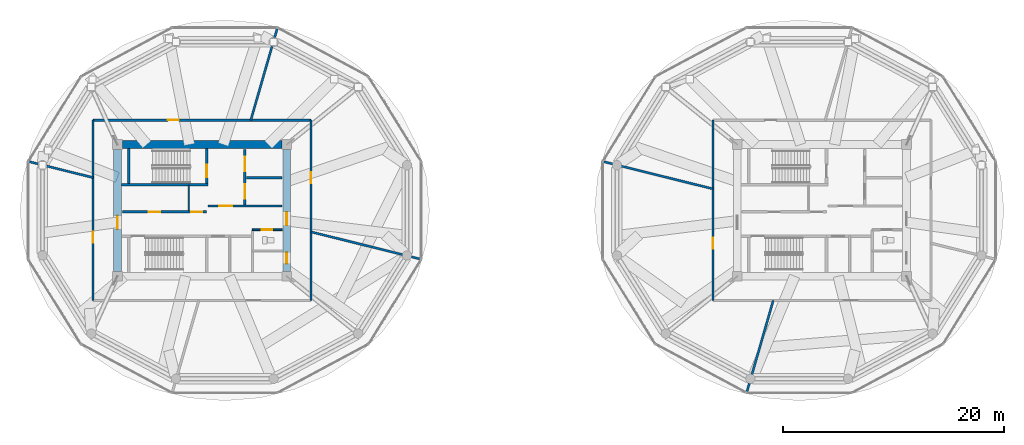
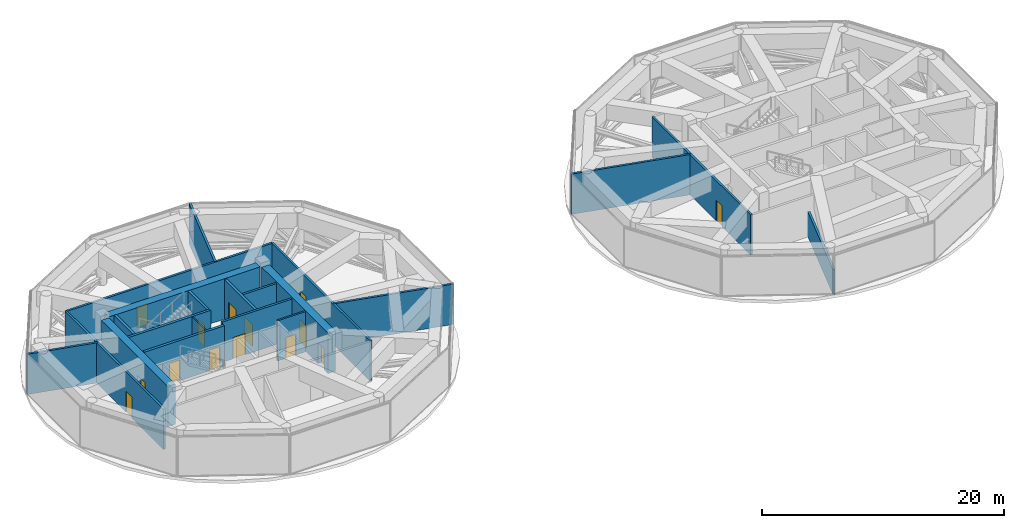
# One storey, part 17 of 23: 21 walls, 14 doors, 14 openings.
"""IFC4 building model written with IfcOpenShell, lengths in metres."""

from ifc_helpers import new_model, si_unit, direction, frame, frame_2d, origin, place, context, subcontext, project, spatial, rectangle, extrude, source, transform, mapped, material, layer, layer_set, type_object, type_shapes, element, fill, save


model = new_model("IFC4")

# Units and contexts
model_context = context("Model", 3, precision=1e-05, world=origin(), true_north=direction((0.0, 1.0)))
body_context = subcontext(model_context, "Body", "Model", "MODEL_VIEW")
ifc_project = project(units=[si_unit("LENGTHUNIT", "METRE"), si_unit("AREAUNIT", "SQUARE_METRE"), si_unit("VOLUMEUNIT", "CUBIC_METRE"), si_unit("PLANEANGLEUNIT", "RADIAN"), si_unit("MASSUNIT", "GRAM", prefix="KILO")], contexts=[model_context])

# Site, building, storey
site_placement = place(None, origin())
site = spatial("IfcSite", under=ifc_project, at=site_placement, CompositionType="ELEMENT")
building_placement = place(site_placement, origin())
building = spatial("IfcBuilding", under=site, at=building_placement, Name="Norrkilde Senior Care Towers", CompositionType="ELEMENT")
storey_placement = place(building_placement, frame((0.0, 0.0, 129.800048828125)))
storey = spatial("IfcBuildingStorey", under=building, at=storey_placement, Name="L40", CompositionType="ELEMENT", Elevation=129.800048828125)

# Wall
ifc_material_1 = material(Name="Concrete C60/75", Category="concrete")
ifc_layer_1 = layer(ifc_material_1, 0.719970703125)
ifc_layer_set_1 = layer_set([ifc_layer_1], Name="Concrete C60/75")
wall_type_1 = type_object("IfcWallType", Name="Core Shear Wall Z2 720", PredefinedType="SHEAR", material=ifc_layer_set_1)
shared_shape_1 = source(origin(), body_context, "Body", "SweptSolid", [
    extrude(rectangle(XDim=14.39990234375, YDim=0.719970703125, at=frame_2d((7.199951171875, 0.0))), origin(), (0.0, 0.0, 1.0), 4.079833984375),
])
wall_1_placement = place(storey_placement, frame((-35.199951171875, 5.949951171875, 0.0), z_axis=(0.0, 0.0, 1.0), x_axis=(1.0, 0.0, 0.0)))
element("IfcWall", 1, at=wall_1_placement, inside=storey, type_object=wall_type_1, Name="L40 Core W North Shear Wall", PredefinedType="SHEAR", context=body_context, shape_type="MappedRepresentation", body=[
    mapped(shared_shape_1, transform((0.0, 0.0, 0.0), x_axis=(1.0, 0.0, 0.0), y_axis=(0.0, 1.0, 0.0), z_axis=(0.0, 0.0, 1.0), scale=1.0)),
])

# Wall, opening, door
shared_shape_2 = source(origin(), body_context, "Body", "SweptSolid", [
    extrude(rectangle(XDim=11.0, YDim=0.719970703125, at=frame_2d((5.5, 0.0))), origin(), (0.0, 0.0, 1.0), 4.079833984375),
])
type_shapes(wall_type_1, [shared_shape_1, shared_shape_2])
wall_2_placement = place(storey_placement, frame((-35.64990234375, -5.5, 0.0), z_axis=(0.0, 0.0, 1.0), x_axis=(0.0, 1.0, 0.0)))
wall_2 = element("IfcWall", 2, at=wall_2_placement, inside=storey, type_object=wall_type_1, Name="L40 Core W West Shear Wall", PredefinedType="SHEAR", context=body_context, shape_type="MappedRepresentation", body=[
    mapped(shared_shape_2, transform((0.0, 0.0, 0.0), x_axis=(1.0, 0.0, 0.0), y_axis=(0.0, 1.0, 0.0), z_axis=(0.0, 0.0, 1.0), scale=1.0)),
])
opening_1_placement = place(wall_2_placement, frame((3.800048828125, 0.0, 0.0)))
opening_1 = element("IfcOpeningElement", 3, at=opening_1_placement, cuts=wall_2, Name="Opening D-04", PredefinedType="OPENING", context=body_context, shape_type="SweptSolid", body=[
    extrude(rectangle(XDim=1.199951171875, YDim=2.14990234375, at=frame_2d((0.60009765625, 1.074951171875))), frame((0.0, 0.369873046875, 0.0), z_axis=(0.0, -1.0, 0.0), x_axis=(1.0, 0.0, 0.0)), (0.0, 0.0, 1.0), 0.739990234375),
])
ifc_material_2 = material(Name="Galvanised Painted Steel", Category="steel")
door_type_1 = type_object("IfcDoorType", Name="Firefighting Lobby Fire Door 1200x2150", OperationType="NOTDEFINED", PredefinedType="DOOR", material=ifc_material_2)
shared_shape_3 = source(origin(), body_context, "Body", "SweptSolid", [
    extrude(rectangle(XDim=1.199951171875, YDim=2.14990234375, at=frame_2d((0.60009765625, 1.074951171875))), frame((0.0, 0.02490234375, 0.0), z_axis=(0.0, -1.0, 0.0), x_axis=(1.0, 0.0, 0.0)), (0.0, 0.0, 1.0), 0.050048828125),
])
type_shapes(door_type_1, [shared_shape_3])
door_1_placement = place(opening_1_placement, frame((1.199951171875, 0.0, 0.0), z_axis=(0.0, 0.0, 1.0), x_axis=(-1.0, 0.0, 0.0)))
door_1 = element("IfcDoor", 4, at=door_1_placement, inside=storey, type_object=door_type_1, Name="L40 Core W West Portal Door", OperationType="SINGLE_SWING_LEFT", OverallHeight=2.14990234375, OverallWidth=1.199951171875, PredefinedType="DOOR", context=body_context, shape_type="MappedRepresentation", body=[
    mapped(shared_shape_3, transform((0.0, 0.0, 0.0), x_axis=(1.0, 0.0, 0.0), y_axis=(0.0, 1.0, 0.0), z_axis=(0.0, 0.0, 1.0), scale=1.0)),
])
fill(opening_1, door_1)

# Wall, openings, doors
wall_3_placement = place(storey_placement, frame((-20.35009765625, 5.5, 0.0), z_axis=(0.0, 0.0, 1.0), x_axis=(0.0, -1.0, 0.0)))
wall_3 = element("IfcWall", 5, at=wall_3_placement, inside=storey, type_object=wall_type_1, Name="L40 Core W East Shear Wall", PredefinedType="SHEAR", context=body_context, shape_type="MappedRepresentation", body=[
    mapped(shared_shape_2, transform((0.0, 0.0, 0.0), x_axis=(1.0, 0.0, 0.0), y_axis=(0.0, 1.0, 0.0), z_axis=(0.0, 0.0, 1.0), scale=1.0)),
])
opening_2_placement = place(wall_3_placement, frame((5.64990234375, 0.0, 0.0)))
opening_2 = element("IfcOpeningElement", 6, at=opening_2_placement, cuts=wall_3, Name="Opening D-04", PredefinedType="OPENING", context=body_context, shape_type="SweptSolid", body=[
    extrude(rectangle(XDim=1.199951171875, YDim=2.14990234375, at=frame_2d((0.60009765625, 1.074951171875))), frame((0.0, 0.369873046875, 0.0), z_axis=(0.0, -1.0, 0.0), x_axis=(1.0, 0.0, 0.0)), (0.0, 0.0, 1.0), 0.739990234375),
])
opening_3_placement = place(wall_3_placement, frame((9.300048828125, 0.0, 0.0)))
opening_3 = element("IfcOpeningElement", 7, at=opening_3_placement, cuts=wall_3, Name="Opening D-10", PredefinedType="OPENING", context=body_context, shape_type="SweptSolid", body=[
    extrude(rectangle(XDim=1.0, YDim=2.10009765625, at=frame_2d((0.5, 1.050048828125))), frame((0.0, 0.369873046875, 0.0), z_axis=(0.0, -1.0, 0.0), x_axis=(1.0, 0.0, 0.0)), (0.0, 0.0, 1.0), 0.739990234375),
])
door_2_placement = place(opening_2_placement, frame((1.199951171875, 0.0, 0.0), z_axis=(0.0, 0.0, 1.0), x_axis=(-1.0, 0.0, 0.0)))
door_2 = element("IfcDoor", 8, at=door_2_placement, inside=storey, type_object=door_type_1, Name="L40 Core W East Portal Door", OperationType="SINGLE_SWING_RIGHT", OverallHeight=2.14990234375, OverallWidth=1.199951171875, PredefinedType="DOOR", context=body_context, shape_type="MappedRepresentation", body=[
    mapped(shared_shape_3, transform((0.0, 0.0, 0.0), x_axis=(1.0, 0.0, 0.0), y_axis=(0.0, 1.0, 0.0), z_axis=(0.0, 0.0, 1.0), scale=1.0)),
])
fill(opening_2, door_2)
door_type_2 = type_object("IfcDoorType", Name="Plant and Riser Rated Door 1000x2100", OperationType="NOTDEFINED", PredefinedType="DOOR", material=ifc_material_2)
shared_shape_4 = source(origin(), body_context, "Body", "SweptSolid", [
    extrude(rectangle(XDim=1.0, YDim=2.10009765625, at=frame_2d((0.5, 1.050048828125))), frame((0.0, 0.02490234375, 0.0), z_axis=(0.0, -1.0, 0.0), x_axis=(1.0, 0.0, 0.0)), (0.0, 0.0, 1.0), 0.050048828125),
])
type_shapes(door_type_2, [shared_shape_4])
door_3_placement = place(opening_3_placement, frame((1.0, 0.0, 0.0), z_axis=(0.0, 0.0, 1.0), x_axis=(-1.0, 0.0, 0.0)))
door_3 = element("IfcDoor", 9, at=door_3_placement, inside=storey, type_object=door_type_2, Name="L40 Ventilation Riser W Door", OperationType="SINGLE_SWING_RIGHT", OverallHeight=2.10009765625, OverallWidth=1.0, PredefinedType="DOOR", context=body_context, shape_type="MappedRepresentation", body=[
    mapped(shared_shape_4, transform((0.0, 0.0, 0.0), x_axis=(1.0, 0.0, 0.0), y_axis=(0.0, 1.0, 0.0), z_axis=(0.0, 0.0, 1.0), scale=1.0)),
])
fill(opening_3, door_3)

ifc_material_3 = material(Name="Concrete C45/55", Category="concrete")
ifc_layer_2 = layer(ifc_material_3, 0.239990234375)
ifc_layer_set_2 = layer_set([ifc_layer_2], Name="Concrete C45/55")
wall_type_2 = type_object("IfcWallType", Name="Lift and Plant Rated Enclosure Partition 240", PredefinedType="PARTITIONING", material=ifc_layer_set_2)
shared_shape_5 = source(origin(), body_context, "Body", "SweptSolid", [
    extrude(rectangle(XDim=5.0, YDim=0.239990234375, at=frame_2d((2.5, 0.0))), origin(), (0.0, 0.0, 1.0), 4.06494140625),
])
wall_4_placement = place(storey_placement, frame((-24.139892578125, 0.5, 0.0), z_axis=(0.0, 0.0, 1.0), x_axis=(0.0, 1.0, 0.0)))
wall_4 = element("IfcWall", 10, at=wall_4_placement, inside=storey, type_object=wall_type_2, Name="WL-INT-L40-W-FFLE", PredefinedType="PARTITIONING", context=body_context, shape_type="MappedRepresentation", body=[
    mapped(shared_shape_5, transform((0.0, 0.0, 0.0), x_axis=(1.0, 0.0, 0.0), y_axis=(0.0, 1.0, 0.0), z_axis=(0.0, 0.0, 1.0), scale=1.0)),
])
opening_4_placement = place(wall_4_placement, frame((3.050048828125, 0.0, 0.0)))
opening_4 = element("IfcOpeningElement", 11, at=opening_4_placement, cuts=wall_4, Name="Opening LD-02", PredefinedType="OPENING", context=body_context, shape_type="SweptSolid", body=[
    extrude(rectangle(XDim=1.300048828125, YDim=2.199951171875, at=frame_2d((0.64990234375, 1.10009765625))), frame((0.0, 0.1298828125, 0.0), z_axis=(0.0, -1.0, 0.0), x_axis=(1.0, 0.0, 0.0)), (0.0, 0.0, 1.0), 0.260009765625),
])
opening_5_placement = place(wall_4_placement, frame((0.550048828125, 0.0, 0.0)))
opening_5 = element("IfcOpeningElement", 12, at=opening_5_placement, cuts=wall_4, Name="Opening LD-02", PredefinedType="OPENING", context=body_context, shape_type="SweptSolid", body=[
    extrude(rectangle(XDim=1.300048828125, YDim=2.199951171875, at=frame_2d((0.64990234375, 1.10009765625))), frame((0.0, 0.1298828125, 0.0), z_axis=(0.0, -1.0, 0.0), x_axis=(1.0, 0.0, 0.0)), (0.0, 0.0, 1.0), 0.260009765625),
])
ifc_material_4 = material(Name="Stainless Steel", Category="steel")
door_type_3 = type_object("IfcDoorType", Name="Stretcher and FFL Landing Sliding Door 1300x2200", OperationType="NOTDEFINED", PredefinedType="DOOR", material=ifc_material_4)
shared_shape_6 = source(origin(), body_context, "Body", "SweptSolid", [
    extrude(rectangle(XDim=1.300048828125, YDim=2.199951171875, at=frame_2d((0.64990234375, 1.10009765625))), frame((0.0, 0.02490234375, 0.0), z_axis=(0.0, -1.0, 0.0), x_axis=(1.0, 0.0, 0.0)), (0.0, 0.0, 1.0), 0.050048828125),
])
type_shapes(door_type_3, [shared_shape_6])
door_4_placement = place(opening_4_placement, origin())
door_4 = element("IfcDoor", 13, at=door_4_placement, inside=storey, type_object=door_type_3, Name="L40 Firefighting Lift W1 Landing Door", OperationType="SLIDING_TO_LEFT", OverallHeight=2.199951171875, OverallWidth=1.300048828125, PredefinedType="DOOR", context=body_context, shape_type="MappedRepresentation", body=[
    mapped(shared_shape_6, transform((0.0, 0.0, 0.0), x_axis=(1.0, 0.0, 0.0), y_axis=(0.0, 1.0, 0.0), z_axis=(0.0, 0.0, 1.0), scale=1.0)),
])
fill(opening_4, door_4)
door_5_placement = place(opening_5_placement, origin())
door_5 = element("IfcDoor", 14, at=door_5_placement, inside=storey, type_object=door_type_3, Name="L40 Stretcher Lift W1 Landing Door", OperationType="SLIDING_TO_RIGHT", OverallHeight=2.199951171875, OverallWidth=1.300048828125, PredefinedType="DOOR", context=body_context, shape_type="MappedRepresentation", body=[
    mapped(shared_shape_6, transform((0.0, 0.0, 0.0), x_axis=(1.0, 0.0, 0.0), y_axis=(0.0, 1.0, 0.0), z_axis=(0.0, 0.0, 1.0), scale=1.0)),
])
fill(opening_5, door_5)

# Wall
ifc_layer_3 = layer(ifc_material_3, 0.199951171875)
ifc_layer_set_3 = layer_set([ifc_layer_3], Name="Concrete C45/55")
wall_type_3 = type_object("IfcWallType", Name="Shaft Division and Plant Partition 200", PredefinedType="PARTITIONING", material=ifc_layer_set_3)
shared_shape_7 = source(origin(), body_context, "Body", "SweptSolid", [
    extrude(rectangle(XDim=3.199951171875, YDim=0.199951171875, at=frame_2d((1.60009765625, 0.0))), origin(), (0.0, 0.0, 1.0), 4.06494140625),
])
wall_5_placement = place(storey_placement, frame((-24.0, 2.949951171875, 0.0), z_axis=(0.0, 0.0, 1.0), x_axis=(1.0, 0.0, 0.0)))
element("IfcWall", 15, at=wall_5_placement, inside=storey, type_object=wall_type_3, Name="WL-INT-L40-W-FFLDIV", PredefinedType="PARTITIONING", context=body_context, shape_type="MappedRepresentation", body=[
    mapped(shared_shape_7, transform((0.0, 0.0, 0.0), x_axis=(1.0, 0.0, 0.0), y_axis=(0.0, 1.0, 0.0), z_axis=(0.0, 0.0, 1.0), scale=1.0)),
])

# Wall, opening, door
ifc_layer_4 = layer(ifc_material_3, 0.2099609375)
ifc_layer_set_4 = layer_set([ifc_layer_4], Name="Concrete C45/55")
wall_type_4 = type_object("IfcWallType", Name="Firefighting Lobby Wall 210", PredefinedType="PARTITIONING", material=ifc_layer_set_4)
shared_shape_8 = source(origin(), body_context, "Body", "SweptSolid", [
    extrude(rectangle(XDim=6.659912109375, YDim=0.2099609375, at=frame_2d((3.330078125, 0.0))), origin(), (0.0, 0.0, 1.0), 4.06494140625),
])
type_shapes(wall_type_4, [shared_shape_8])
wall_6_placement = place(storey_placement, frame((-27.4599609375, 0.389892578125, 0.0), z_axis=(0.0, 0.0, 1.0), x_axis=(1.0, 0.0, 0.0)))
wall_6 = element("IfcWall", 16, at=wall_6_placement, inside=storey, type_object=wall_type_4, Name="WL-INT-L40-W-FFLS", PredefinedType="PARTITIONING", context=body_context, shape_type="MappedRepresentation", body=[
    mapped(shared_shape_8, transform((0.0, 0.0, 0.0), x_axis=(1.0, 0.0, 0.0), y_axis=(0.0, 1.0, 0.0), z_axis=(0.0, 0.0, 1.0), scale=1.0)),
])
opening_6_placement = place(wall_6_placement, frame((1.0, 0.0, 0.0)))
opening_6 = element("IfcOpeningElement", 17, at=opening_6_placement, cuts=wall_6, Name="Opening D-04", PredefinedType="OPENING", context=body_context, shape_type="SweptSolid", body=[
    extrude(rectangle(XDim=1.199951171875, YDim=2.14990234375, at=frame_2d((0.60009765625, 1.074951171875))), frame((0.0, 0.114990234375, 0.0), z_axis=(0.0, -1.0, 0.0), x_axis=(1.0, 0.0, 0.0)), (0.0, 0.0, 1.0), 0.22998046875),
])
door_6_placement = place(opening_6_placement, frame((1.199951171875, 0.0, 0.0), z_axis=(0.0, 0.0, 1.0), x_axis=(-1.0, 0.0, 0.0)))
door_6 = element("IfcDoor", 18, at=door_6_placement, inside=storey, type_object=door_type_1, Name="L40 Firefighting Lobby W Door", OperationType="SINGLE_SWING_LEFT", OverallHeight=2.14990234375, OverallWidth=1.199951171875, PredefinedType="DOOR", context=body_context, shape_type="MappedRepresentation", body=[
    mapped(shared_shape_3, transform((0.0, 0.0, 0.0), x_axis=(1.0, 0.0, 0.0), y_axis=(0.0, 1.0, 0.0), z_axis=(0.0, 0.0, 1.0), scale=1.0)),
])
fill(opening_6, door_6)

# Wall, openings, doors
shared_shape_9 = source(origin(), body_context, "Body", "SweptSolid", [
    extrude(rectangle(XDim=7.619873046875, YDim=0.239990234375, at=frame_2d((3.81005859375, 0.0))), origin(), (0.0, 0.0, 1.0), 4.06494140625),
])
type_shapes(wall_type_2, [shared_shape_5, shared_shape_9])
wall_7_placement = place(storey_placement, frame((-35.199951171875, -0.1298828125, 0.0), z_axis=(0.0, 0.0, 1.0), x_axis=(1.0, 0.0, 0.0)))
wall_7 = element("IfcWall", 19, at=wall_7_placement, inside=storey, type_object=wall_type_2, Name="WL-INT-L40-W-PKAS", PredefinedType="PARTITIONING", context=body_context, shape_type="MappedRepresentation", body=[
    mapped(shared_shape_9, transform((0.0, 0.0, 0.0), x_axis=(1.0, 0.0, 0.0), y_axis=(0.0, 1.0, 0.0), z_axis=(0.0, 0.0, 1.0), scale=1.0)),
])
opening_7_placement = place(wall_7_placement, frame((6.219970703125, 0.0, 0.0)))
opening_7 = element("IfcOpeningElement", 20, at=opening_7_placement, cuts=wall_7, Name="Opening D-10", PredefinedType="OPENING", context=body_context, shape_type="SweptSolid", body=[
    extrude(rectangle(XDim=1.0, YDim=2.10009765625, at=frame_2d((0.5, 1.050048828125))), frame((0.0, 0.1298828125, 0.0), z_axis=(0.0, -1.0, 0.0), x_axis=(1.0, 0.0, 0.0)), (0.0, 0.0, 1.0), 0.260009765625),
])
opening_8_placement = place(wall_7_placement, frame((2.39990234375, 0.0, 0.0)))
opening_8 = element("IfcOpeningElement", 21, at=opening_8_placement, cuts=wall_7, Name="Opening D-10", PredefinedType="OPENING", context=body_context, shape_type="SweptSolid", body=[
    extrude(rectangle(XDim=1.0, YDim=2.10009765625, at=frame_2d((0.5, 1.050048828125))), frame((0.0, 0.1298828125, 0.0), z_axis=(0.0, -1.0, 0.0), x_axis=(1.0, 0.0, 0.0)), (0.0, 0.0, 1.0), 0.260009765625),
])
door_7_placement = place(opening_7_placement, frame((1.0, 0.0, 0.0), z_axis=(0.0, 0.0, 1.0), x_axis=(-1.0, 0.0, 0.0)))
door_7 = element("IfcDoor", 22, at=door_7_placement, inside=storey, type_object=door_type_2, Name="L40 Electrical Riser W Door", OperationType="SINGLE_SWING_LEFT", OverallHeight=2.10009765625, OverallWidth=1.0, PredefinedType="DOOR", context=body_context, shape_type="MappedRepresentation", body=[
    mapped(shared_shape_4, transform((0.0, 0.0, 0.0), x_axis=(1.0, 0.0, 0.0), y_axis=(0.0, 1.0, 0.0), z_axis=(0.0, 0.0, 1.0), scale=1.0)),
])
fill(opening_7, door_7)
door_8_placement = place(opening_8_placement, frame((1.0, 0.0, 0.0), z_axis=(0.0, 0.0, 1.0), x_axis=(-1.0, 0.0, 0.0)))
door_8 = element("IfcDoor", 23, at=door_8_placement, inside=storey, type_object=door_type_2, Name="L40 Clean Supply Store W Door", OperationType="SINGLE_SWING_LEFT", OverallHeight=2.10009765625, OverallWidth=1.0, PredefinedType="DOOR", context=body_context, shape_type="MappedRepresentation", body=[
    mapped(shared_shape_4, transform((0.0, 0.0, 0.0), x_axis=(1.0, 0.0, 0.0), y_axis=(0.0, 1.0, 0.0), z_axis=(0.0, 0.0, 1.0), scale=1.0)),
])
fill(opening_8, door_8)

# Wall
ifc_material_5 = material(Name="Gypsum Acoustic Board")
ifc_layer_5 = layer(ifc_material_5, 0.114990234375)
ifc_layer_set_5 = layer_set([ifc_layer_5], Name="Gypsum Acoustic Board")
wall_type_5 = type_object("IfcWallType", Name="Internal Room Partition 115", PredefinedType="PARTITIONING", material=ifc_layer_set_5)
shared_shape_10 = source(origin(), body_context, "Body", "SweptSolid", [
    extrude(rectangle(XDim=2.330078125, YDim=0.114990234375, at=frame_2d((1.1650390625, 0.0))), origin(), (0.0, 0.0, 1.0), 4.06494140625),
])
type_shapes(wall_type_5, [shared_shape_10])
wall_8_placement = place(storey_placement, frame((-29.2099609375, -0.050048828125, 0.0), z_axis=(0.0, 0.0, 1.0), x_axis=(0.0, 1.0, 0.0)))
element("IfcWall", 24, at=wall_8_placement, inside=storey, type_object=wall_type_5, Name="WL-INT-L40-W-RISW", PredefinedType="PARTITIONING", context=body_context, shape_type="MappedRepresentation", body=[
    mapped(shared_shape_10, transform((0.0, 0.0, 0.0), x_axis=(1.0, 0.0, 0.0), y_axis=(0.0, 1.0, 0.0), z_axis=(0.0, 0.0, 1.0), scale=1.0)),
])

# Wall, opening, door
ifc_layer_6 = layer(ifc_material_5, 0.1650390625)
ifc_layer_set_6 = layer_set([ifc_layer_6], Name="Gypsum Acoustic Board")
wall_type_6 = type_object("IfcWallType", Name="Corridor Rated Partition 165", PredefinedType="PARTITIONING", material=ifc_layer_set_6)
shared_shape_11 = source(origin(), body_context, "Body", "SweptSolid", [
    extrude(rectangle(XDim=2.699951171875, YDim=0.1650390625, at=frame_2d((1.35009765625, 0.0))), origin(), (0.0, 0.0, 1.0), 4.06494140625),
])
type_shapes(wall_type_6, [shared_shape_11])
wall_9_placement = place(storey_placement, frame((-23.449951171875, -1.75, 0.0), z_axis=(0.0, 0.0, 1.0), x_axis=(1.0, 0.0, 0.0)))
wall_9 = element("IfcWall", 25, at=wall_9_placement, inside=storey, type_object=wall_type_6, Name="WL-INT-L40-W-CSN", PredefinedType="PARTITIONING", context=body_context, shape_type="MappedRepresentation", body=[
    mapped(shared_shape_11, transform((0.0, 0.0, 0.0), x_axis=(1.0, 0.0, 0.0), y_axis=(0.0, 1.0, 0.0), z_axis=(0.0, 0.0, 1.0), scale=1.0)),
])
opening_9_placement = place(wall_9_placement, frame((0.85009765625, 0.0, 0.0)))
opening_9 = element("IfcOpeningElement", 26, at=opening_9_placement, cuts=wall_9, Name="Opening D-12", PredefinedType="OPENING", context=body_context, shape_type="SweptSolid", body=[
    extrude(rectangle(XDim=0.925048828125, YDim=2.10009765625, at=frame_2d((0.46240234375, 1.050048828125))), frame((0.0, 0.092529296875, 0.0), z_axis=(0.0, -1.0, 0.0), x_axis=(1.0, 0.0, 0.0)), (0.0, 0.0, 1.0), 0.18505859375),
])
door_type_4 = type_object("IfcDoorType", Name="Core Wet Room Rated Door 925x2100", OperationType="NOTDEFINED", PredefinedType="DOOR", material=ifc_material_2)
shared_shape_12 = source(origin(), body_context, "Body", "SweptSolid", [
    extrude(rectangle(XDim=0.925048828125, YDim=2.10009765625, at=frame_2d((0.46240234375, 1.050048828125))), frame((0.0, 0.02490234375, 0.0), z_axis=(0.0, -1.0, 0.0), x_axis=(1.0, 0.0, 0.0)), (0.0, 0.0, 1.0), 0.050048828125),
])
type_shapes(door_type_4, [shared_shape_12])
door_9_placement = place(opening_9_placement, origin())
door_9 = element("IfcDoor", 27, at=door_9_placement, inside=storey, type_object=door_type_4, Name="L40 Staff WC W Door", OperationType="SINGLE_SWING_LEFT", OverallHeight=2.10009765625, OverallWidth=0.925048828125, PredefinedType="DOOR", context=body_context, shape_type="MappedRepresentation", body=[
    mapped(shared_shape_12, transform((0.0, 0.0, 0.0), x_axis=(1.0, 0.0, 0.0), y_axis=(0.0, 1.0, 0.0), z_axis=(0.0, 0.0, 1.0), scale=1.0)),
])
fill(opening_9, door_9)

shared_shape_13 = source(origin(), body_context, "Body", "SweptSolid", [
    extrude(rectangle(XDim=19.7001953125, YDim=0.199951171875, at=frame_2d((9.85009765625, 0.0))), origin(), (0.0, 0.0, 1.0), 4.06494140625),
])
wall_10_placement = place(storey_placement, frame((-37.85009765625, 8.14990234375, 0.0), z_axis=(0.0, 0.0, 1.0), x_axis=(1.0, 0.0, 0.0)))
wall_10 = element("IfcWall", 28, at=wall_10_placement, inside=storey, type_object=wall_type_3, Name="WL-INT-L40-W-PCR-N", PredefinedType="PARTITIONING", context=body_context, shape_type="MappedRepresentation", body=[
    mapped(shared_shape_13, transform((0.0, 0.0, 0.0), x_axis=(1.0, 0.0, 0.0), y_axis=(0.0, 1.0, 0.0), z_axis=(0.0, 0.0, 1.0), scale=1.0)),
])
opening_10_placement = place(wall_10_placement, frame((6.7607421875, 0.0, 0.0)))
opening_10 = element("IfcOpeningElement", 29, at=opening_10_placement, cuts=wall_10, Name="Opening D-10", PredefinedType="OPENING", context=body_context, shape_type="SweptSolid", body=[
    extrude(rectangle(XDim=1.0, YDim=2.10009765625, at=frame_2d((0.5, 1.050048828125))), frame((0.0, 0.10986328125, 0.0), z_axis=(0.0, -1.0, 0.0), x_axis=(1.0, 0.0, 0.0)), (0.0, 0.0, 1.0), 0.219970703125),
])
door_10_placement = place(opening_10_placement, frame((1.0, 0.0, 0.0), z_axis=(0.0, 0.0, 1.0), x_axis=(-1.0, 0.0, 0.0)))
door_10 = element("IfcDoor", 30, at=door_10_placement, inside=storey, type_object=door_type_2, Name="L40 Dedicated Outdoor Air Handling Unit Room Door", OperationType="SINGLE_SWING_LEFT", OverallHeight=2.10009765625, OverallWidth=1.0, PredefinedType="DOOR", context=body_context, shape_type="MappedRepresentation", body=[
    mapped(shared_shape_4, transform((0.0, 0.0, 0.0), x_axis=(1.0, 0.0, 0.0), y_axis=(0.0, 1.0, 0.0), z_axis=(0.0, 0.0, 1.0), scale=1.0)),
])
fill(opening_10, door_10)

shared_shape_14 = source(origin(), body_context, "Body", "SweptSolid", [
    extrude(rectangle(XDim=16.2998046875, YDim=0.199951171875, at=frame_2d((8.14990234375, 0.0))), origin(), (0.0, 0.0, 1.0), 4.06494140625),
])
wall_11_placement = place(storey_placement, frame((-37.85009765625, -8.14990234375, 0.0), z_axis=(0.0, 0.0, 1.0), x_axis=(0.0, 1.0, 0.0)))
wall_11 = element("IfcWall", 31, at=wall_11_placement, inside=storey, type_object=wall_type_3, Name="WL-INT-L40-W-PCR-W", PredefinedType="PARTITIONING", context=body_context, shape_type="MappedRepresentation", body=[
    mapped(shared_shape_14, transform((0.0, 0.0, 0.0), x_axis=(1.0, 0.0, 0.0), y_axis=(0.0, 1.0, 0.0), z_axis=(0.0, 0.0, 1.0), scale=1.0)),
])
opening_11_placement = place(wall_11_placement, frame((5.21142578125, 0.0, 0.0)))
opening_11 = element("IfcOpeningElement", 32, at=opening_11_placement, cuts=wall_11, Name="Opening D-10", PredefinedType="OPENING", context=body_context, shape_type="SweptSolid", body=[
    extrude(rectangle(XDim=1.0, YDim=2.10009765625, at=frame_2d((0.5, 1.050048828125))), frame((0.0, 0.10986328125, 0.0), z_axis=(0.0, -1.0, 0.0), x_axis=(1.0, 0.0, 0.0)), (0.0, 0.0, 1.0), 0.219970703125),
])
door_11_placement = place(opening_11_placement, frame((1.0, 0.0, 0.0), z_axis=(0.0, 0.0, 1.0), x_axis=(-1.0, 0.0, 0.0)))
door_11 = element("IfcDoor", 33, at=door_11_placement, inside=storey, type_object=door_type_2, Name="L40 HV Switchroom and Fire Booster Pump Plant Door", OperationType="SINGLE_SWING_RIGHT", OverallHeight=2.10009765625, OverallWidth=1.0, PredefinedType="DOOR", context=body_context, shape_type="MappedRepresentation", body=[
    mapped(shared_shape_4, transform((0.0, 0.0, 0.0), x_axis=(1.0, 0.0, 0.0), y_axis=(0.0, 1.0, 0.0), z_axis=(0.0, 0.0, 1.0), scale=1.0)),
])
fill(opening_11, door_11)

wall_12_placement = place(storey_placement, frame((-18.14990234375, 8.14990234375, 0.0), z_axis=(0.0, 0.0, 1.0), x_axis=(0.0, -1.0, 0.0)))
wall_12 = element("IfcWall", 34, at=wall_12_placement, inside=storey, type_object=wall_type_3, Name="WL-INT-L40-W-PCR-E", PredefinedType="PARTITIONING", context=body_context, shape_type="MappedRepresentation", body=[
    mapped(shared_shape_14, transform((0.0, 0.0, 0.0), x_axis=(1.0, 0.0, 0.0), y_axis=(0.0, 1.0, 0.0), z_axis=(0.0, 0.0, 1.0), scale=1.0)),
])
opening_12_placement = place(wall_12_placement, frame((4.697021484375, 0.0, 0.0)))
opening_12 = element("IfcOpeningElement", 35, at=opening_12_placement, cuts=wall_12, Name="Opening D-10", PredefinedType="OPENING", context=body_context, shape_type="SweptSolid", body=[
    extrude(rectangle(XDim=1.0, YDim=2.10009765625, at=frame_2d((0.5, 1.050048828125))), frame((0.0, 0.10986328125, 0.0), z_axis=(0.0, -1.0, 0.0), x_axis=(1.0, 0.0, 0.0)), (0.0, 0.0, 1.0), 0.219970703125),
])
door_12_placement = place(opening_12_placement, frame((1.0, 0.0, 0.0), z_axis=(0.0, 0.0, 1.0), x_axis=(-1.0, 0.0, 0.0)))
door_12 = element("IfcDoor", 36, at=door_12_placement, inside=storey, type_object=door_type_2, Name="L40 Chiller and Heat-Recovery Cooling Plant Door", OperationType="SINGLE_SWING_RIGHT", OverallHeight=2.10009765625, OverallWidth=1.0, PredefinedType="DOOR", context=body_context, shape_type="MappedRepresentation", body=[
    mapped(shared_shape_4, transform((0.0, 0.0, 0.0), x_axis=(1.0, 0.0, 0.0), y_axis=(0.0, 1.0, 0.0), z_axis=(0.0, 0.0, 1.0), scale=1.0)),
])
fill(opening_12, door_12)

wall_13_placement = place(storey_placement, frame((18.14990234375, -8.14990234375, 0.0), z_axis=(0.0, 0.0, 1.0), x_axis=(0.0, 1.0, 0.0)))
wall_13 = element("IfcWall", 37, at=wall_13_placement, inside=storey, type_object=wall_type_3, Name="WL-INT-L40-E-PCR-W", PredefinedType="PARTITIONING", context=body_context, shape_type="MappedRepresentation", body=[
    mapped(shared_shape_14, transform((0.0, 0.0, 0.0), x_axis=(1.0, 0.0, 0.0), y_axis=(0.0, 1.0, 0.0), z_axis=(0.0, 0.0, 1.0), scale=1.0)),
])
opening_13_placement = place(wall_13_placement, frame((4.697021484375, 0.0, 0.0)))
opening_13 = element("IfcOpeningElement", 38, at=opening_13_placement, cuts=wall_13, Name="Opening D-10", PredefinedType="OPENING", context=body_context, shape_type="SweptSolid", body=[
    extrude(rectangle(XDim=1.0, YDim=2.10009765625, at=frame_2d((0.5, 1.050048828125))), frame((0.0, 0.10986328125, 0.0), z_axis=(0.0, -1.0, 0.0), x_axis=(1.0, 0.0, 0.0)), (0.0, 0.0, 1.0), 0.219970703125),
])
door_13_placement = place(opening_13_placement, frame((1.0, 0.0, 0.0), z_axis=(0.0, 0.0, 1.0), x_axis=(-1.0, 0.0, 0.0)))
door_13 = element("IfcDoor", 39, at=door_13_placement, inside=storey, type_object=door_type_2, Name="L40 HV Switchroom and Fire Booster Pump Plant Door", OperationType="SINGLE_SWING_RIGHT", OverallHeight=2.10009765625, OverallWidth=1.0, PredefinedType="DOOR", context=body_context, shape_type="MappedRepresentation", body=[
    mapped(shared_shape_4, transform((0.0, 0.0, 0.0), x_axis=(1.0, 0.0, 0.0), y_axis=(0.0, 1.0, 0.0), z_axis=(0.0, 0.0, 1.0), scale=1.0)),
])
fill(opening_13, door_13)

# Walls
ifc_layer_7 = layer(ifc_material_3, 0.239990234375)
ifc_layer_set_7 = layer_set([ifc_layer_7], Name="Concrete C45/55")
wall_type_7 = type_object("IfcWallType", Name="Shaft and Stair Enclosure Wall 240", PredefinedType="PARTITIONING", material=ifc_layer_set_7)
shared_shape_15 = source(origin(), body_context, "Body", "SweptSolid", [
    extrude(rectangle(XDim=7.830078125, YDim=0.239990234375, at=frame_2d((3.9150390625, 0.0))), origin(), (0.0, 0.0, 1.0), 4.079833984375),
])
wall_14_placement = place(storey_placement, frame((-35.2900390625, 2.330078125, 0.0), z_axis=(0.0, 0.0, 1.0), x_axis=(1.0, 0.0, 0.0)))
element("IfcWall", 40, at=wall_14_placement, inside=storey, type_object=wall_type_7, Name="WL-INT-L40-W-ST1S", PredefinedType="PARTITIONING", context=body_context, shape_type="MappedRepresentation", body=[
    mapped(shared_shape_15, transform((0.0, 0.0, 0.0), x_axis=(1.0, 0.0, 0.0), y_axis=(0.0, 1.0, 0.0), z_axis=(0.0, 0.0, 1.0), scale=1.0)),
])
shared_shape_16 = source(origin(), body_context, "Body", "SweptSolid", [
    extrude(rectangle(XDim=3.14013671875, YDim=0.239990234375, at=frame_2d((1.570068359375, 0.0))), origin(), (0.0, 0.0, 1.0), 4.079833984375),
])
type_shapes(wall_type_7, [shared_shape_15, shared_shape_16])
wall_15_placement = place(storey_placement, frame((-34.6201171875, 2.449951171875, 0.0), z_axis=(0.0, 0.0, 1.0), x_axis=(0.0, 1.0, 0.0)))
element("IfcWall", 41, at=wall_15_placement, inside=storey, type_object=wall_type_7, Name="WL-INT-L40-W-ST1W", PredefinedType="PARTITIONING", context=body_context, shape_type="MappedRepresentation", body=[
    mapped(shared_shape_16, transform((0.0, 0.0, 0.0), x_axis=(1.0, 0.0, 0.0), y_axis=(0.0, 1.0, 0.0), z_axis=(0.0, 0.0, 1.0), scale=1.0)),
])

# Wall, opening, door
wall_16_placement = place(storey_placement, frame((-27.580078125, 2.449951171875, 0.0), z_axis=(0.0, 0.0, 1.0), x_axis=(0.0, 1.0, 0.0)))
wall_16 = element("IfcWall", 42, at=wall_16_placement, inside=storey, type_object=wall_type_7, Name="WL-INT-L40-W-ST1E", PredefinedType="PARTITIONING", context=body_context, shape_type="MappedRepresentation", body=[
    mapped(shared_shape_16, transform((0.0, 0.0, 0.0), x_axis=(1.0, 0.0, 0.0), y_axis=(0.0, 1.0, 0.0), z_axis=(0.0, 0.0, 1.0), scale=1.0)),
])
opening_14_placement = place(wall_16_placement, frame((0.550048828125, 0.0, 0.0)))
opening_14 = element("IfcOpeningElement", 43, at=opening_14_placement, cuts=wall_16, Name="Opening D-03", PredefinedType="OPENING", context=body_context, shape_type="SweptSolid", body=[
    extrude(rectangle(XDim=1.10009765625, YDim=2.14990234375, at=frame_2d((0.550048828125, 1.074951171875))), frame((0.0, 0.1298828125, 0.0), z_axis=(0.0, -1.0, 0.0), x_axis=(1.0, 0.0, 0.0)), (0.0, 0.0, 1.0), 0.260009765625),
])
door_type_5 = type_object("IfcDoorType", Name="Stairwell Protected Fire Door 1100x2150", OperationType="NOTDEFINED", PredefinedType="DOOR", material=ifc_material_2)
shared_shape_17 = source(origin(), body_context, "Body", "SweptSolid", [
    extrude(rectangle(XDim=1.10009765625, YDim=2.14990234375, at=frame_2d((0.550048828125, 1.074951171875))), frame((0.0, 0.02490234375, 0.0), z_axis=(0.0, -1.0, 0.0), x_axis=(1.0, 0.0, 0.0)), (0.0, 0.0, 1.0), 0.050048828125),
])
type_shapes(door_type_5, [shared_shape_17])
door_14_placement = place(opening_14_placement, origin())
door_14 = element("IfcDoor", 44, at=door_14_placement, inside=storey, type_object=door_type_5, Name="L40 Stair W1 Fire Door", OperationType="SINGLE_SWING_LEFT", OverallHeight=2.14990234375, OverallWidth=1.10009765625, PredefinedType="DOOR", context=body_context, shape_type="MappedRepresentation", body=[
    mapped(shared_shape_17, transform((0.0, 0.0, 0.0), x_axis=(1.0, 0.0, 0.0), y_axis=(0.0, 1.0, 0.0), z_axis=(0.0, 0.0, 1.0), scale=1.0)),
])
fill(opening_14, door_14)

# Walls
shared_shape_18 = source(origin(), body_context, "Body", "SweptSolid", [
    extrude(rectangle(XDim=8.708251953125, YDim=0.199951171875, at=frame_2d((4.35400390625, 0.0))), origin(), (0.0, 0.0, 1.0), 4.06494140625),
])
wall_17_placement = place(storey_placement, frame((-23.60009765625, 8.14990234375, 0.0), z_axis=(0.0, 0.0, 1.0), x_axis=(0.277019790717, 0.960864212858, 0.0)))
element("IfcWall", 45, at=wall_17_placement, inside=storey, type_object=wall_type_3, Name="WL-INT-L40-W-PRAD-2-0", PredefinedType="PARTITIONING", context=body_context, shape_type="MappedRepresentation", body=[
    mapped(shared_shape_18, transform((0.0, 0.0, 0.0), x_axis=(1.0, 0.0, 0.0), y_axis=(0.0, 1.0, 0.0), z_axis=(0.0, 0.0, 1.0), scale=1.0)),
])
shared_shape_19 = source(origin(), body_context, "Body", "SweptSolid", [
    extrude(rectangle(XDim=10.27734375, YDim=0.199951171875, at=frame_2d((5.138671875, 0.0))), origin(), (0.0, 0.0, 1.0), 4.06494140625),
])
for number, where, z_axis, x_axis, name in (
    (46, (-18.14990234375, -1.9423828125, 0.0), (0.0, 0.0, 1.0), (0.970367056385, -0.241635626271, 0.0), "WL-INT-L40-W-PRAD-1-0"),
    (47, (18.14990234375, 1.9423828125, 0.0), (0.0, 0.0, 1.0), (-0.970367056385, 0.241635626271, 0.0), "WL-INT-L40-E-PRAD-3-0"),
):
    element("IfcWall", number, at=place(storey_placement, frame(where, z_axis=z_axis, x_axis=x_axis)), inside=storey, type_object=wall_type_3, Name=name, PredefinedType="PARTITIONING", context=body_context, shape_type="MappedRepresentation", body=[
        mapped(shared_shape_19, transform((0.0, 0.0, 0.0), x_axis=(1.0, 0.0, 0.0), y_axis=(0.0, 1.0, 0.0), z_axis=(0.0, 0.0, 1.0), scale=1.0)),
    ])
shared_shape_20 = source(origin(), body_context, "Body", "SweptSolid", [
    extrude(rectangle(XDim=6.052490234375, YDim=0.199951171875, at=frame_2d((3.0263671875, 0.0))), origin(), (0.0, 0.0, 1.0), 4.06494140625),
])
wall_18_placement = place(storey_placement, frame((-37.85009765625, 2.96337890625, 0.0), z_axis=(0.0, 0.0, 1.0), x_axis=(-0.970369863069, 0.24162435483, 0.0)))
element("IfcWall", 48, at=wall_18_placement, inside=storey, type_object=wall_type_3, Name="WL-INT-L40-W-PRAD-3-0", PredefinedType="PARTITIONING", context=body_context, shape_type="MappedRepresentation", body=[
    mapped(shared_shape_20, transform((0.0, 0.0, 0.0), x_axis=(1.0, 0.0, 0.0), y_axis=(0.0, 1.0, 0.0), z_axis=(0.0, 0.0, 1.0), scale=1.0)),
])
shared_shape_21 = source(origin(), body_context, "Body", "SweptSolid", [
    extrude(rectangle(XDim=8.708251953125, YDim=0.199951171875, at=frame_2d((4.35400390625, 0.0))), origin(), (0.0, 0.0, 1.0), 2.514892578125),
])
type_shapes(wall_type_3, [shared_shape_7, shared_shape_13, shared_shape_14, shared_shape_18, shared_shape_19, shared_shape_20, shared_shape_21])
wall_19_placement = place(storey_placement, frame((23.60009765625, -8.14990234375, 0.0), z_axis=(0.0, 0.0, 1.0), x_axis=(-0.277019790717, -0.960864212858, 0.0)))
element("IfcWall", 49, at=wall_19_placement, inside=storey, type_object=wall_type_3, Name="WL-INT-L40-E-PRAD-0-0", PredefinedType="PARTITIONING", context=body_context, shape_type="MappedRepresentation", body=[
    mapped(shared_shape_21, transform((0.0, 0.0, 0.0), x_axis=(1.0, 0.0, 0.0), y_axis=(0.0, 1.0, 0.0), z_axis=(0.0, 0.0, 1.0), scale=1.0)),
])

save(model, "model.ifc")
